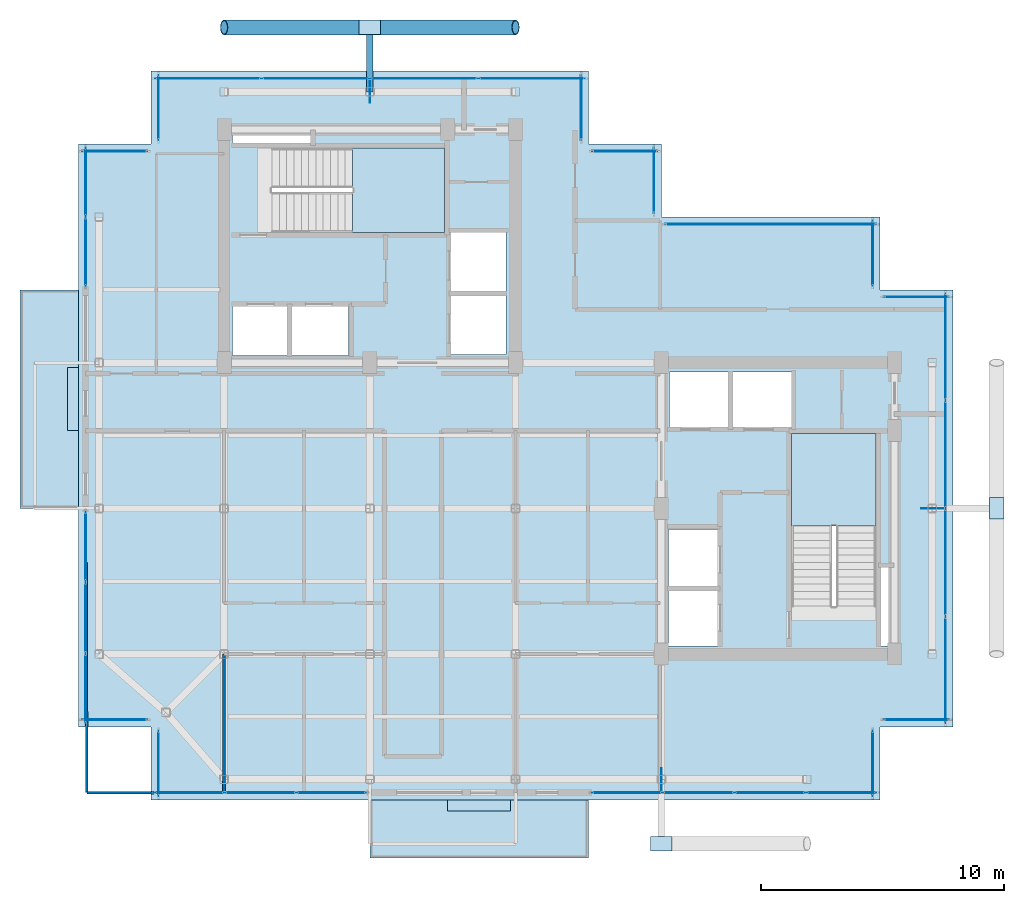
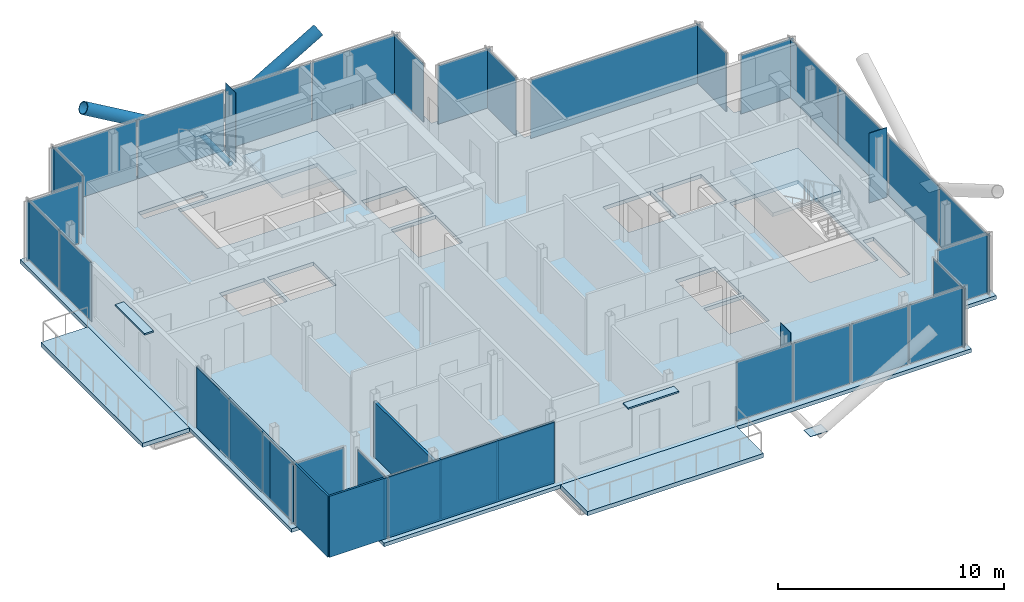
# One storey, part 13 of 18: 40 plates, 5 slabs, 3 members, 3 walls, 20 elements without a shape of their own.
"""IFC4 building model written with IfcOpenShell, lengths in metres."""

from ifc_helpers import new_model, si_unit, direction, frame, frame_2d, origin, origin_2d, place, context, subcontext, project, spatial, polyline, rectangle, hollow_circle, outline, extrude, material, layer, layer_set, material_profile, profile_set, type_object, element, aggregate, save


model = new_model("IFC4")

# Units and contexts
model_context = context("Model", 3, precision=1e-05, world=origin(), true_north=direction((0.0, 1.0)))
body_context = subcontext(model_context, "Body", "Model", "MODEL_VIEW")
ifc_project = project(units=[si_unit("LENGTHUNIT", "METRE"), si_unit("AREAUNIT", "SQUARE_METRE"), si_unit("VOLUMEUNIT", "CUBIC_METRE"), si_unit("PLANEANGLEUNIT", "RADIAN"), si_unit("MASSUNIT", "GRAM", prefix="KILO"), si_unit("THERMODYNAMICTEMPERATUREUNIT", "KELVIN"), si_unit("POWERUNIT", "WATT")], contexts=[model_context])

# Site, building, storey
site_placement = place(None, origin())
site = spatial("IfcSite", under=ifc_project, at=site_placement, CompositionType="ELEMENT")
building_placement = place(site_placement, origin())
building = spatial("IfcBuilding", under=site, at=building_placement, Name="Svarakhadi Broadcast Tower", CompositionType="ELEMENT")
storey_placement = place(building_placement, frame((0.0, 0.0, 253.699951171875)))
storey = spatial("IfcBuildingStorey", under=building, at=storey_placement, Name="L63", CompositionType="ELEMENT", Elevation=253.699951171875)

# Members
ifc_material_1 = material(Name="Steel S460ML (IS 2062 E450BR)", Category="steel")
ifc_material_profile_1 = material_profile(ifc_material_1, hollow_circle(Radius=0.304931640625, WallThickness=0.030029296875, at=origin_2d()), Name="CHS 610x30")
ifc_profile_set_1 = profile_set([ifc_material_profile_1], Name="Steel S460ML (IS 2062 E450BR)")
member_type_1 = type_object("IfcMemberType", Name="Exo_Brace_CHS610", PredefinedType="BRACE", material=ifc_profile_set_1)
for number, where, z_axis, x_axis, name in (
    (1, (12.0, 31.800048828125, -0.33642578125), (-0.863778900898, 0.0, 0.503871025524), (0.0, -1.0, 0.0), "L63 Exposed Bronze Exoskeleton Diagonal N04"),
    (2, (12.0, 31.800048828125, -0.33642578125), (0.863778900898, 0.0, 0.503871025524), (0.0, 1.0, 0.0), "L63 Exposed Bronze Exoskeleton Diagonal N05"),
):
    element("IfcMember", number, at=place(storey_placement, frame(where, z_axis=z_axis, x_axis=x_axis)), inside=storey, type_object=member_type_1, Name=name, PredefinedType="BRACE", context=body_context, shape_type="SweptSolid", body=[
        extrude(hollow_circle(Radius=0.304931640625, WallThickness=0.030029296875, at=origin_2d()), origin(), (0.0, 0.0, 1.0), 6.9462890625),
    ])
ifc_material_profile_2 = material_profile(ifc_material_1, hollow_circle(Radius=0.136474609375, WallThickness=0.012451171875, at=origin_2d()), Name="CHS 273x12.5")
ifc_profile_set_2 = profile_set([ifc_material_profile_2], Name="Steel S460ML (IS 2062 E450BR)")
member_type_2 = type_object("IfcMemberType", Name="Exo_Radial_Strut_Z3", PredefinedType="STRUT", material=ifc_profile_set_2)
member_placement = place(storey_placement, frame((12.0, 31.800048828125, -0.33642578125), z_axis=(0.0, -1.0, 0.0), x_axis=(1.0, 0.0, 0.0)))
element("IfcMember", 3, at=member_placement, inside=storey, type_object=member_type_2, Name="L63 Exoskeleton Radial Tie Strut N03", PredefinedType="STRUT", context=body_context, shape_type="SweptSolid", body=[
    extrude(hollow_circle(Radius=0.136474609375, WallThickness=0.012451171875, at=origin_2d()), origin(), (0.0, 0.0, 1.0), 2.650146484375),
])

# Curtain wall, plate
ifc_material_2 = material(Name="Anodised Bronze Aluminium AA 6063-T6", Category="aluminium")
ifc_layer_1 = layer(ifc_material_2, 0.179931640625)
ifc_layer_set_1 = layer_set([ifc_layer_1], Name="Anodised Bronze Aluminium AA 6063-T6")
curtain_wall_type = type_object("IfcCurtainWallType", Name="CW_Sys_05", PredefinedType="NOTDEFINED", material=ifc_layer_set_1)
curtain_wall_1_placement = place(storey_placement, origin())
curtain_wall_1 = element("IfcCurtainWall", 4, at=curtain_wall_1_placement, inside=storey, type_object=curtain_wall_type, Name="L63 Unitised Facade Curtain Wall 01", PredefinedType="NOTDEFINED")
ifc_material_3 = material(Name="Double Low-E Laminated Acoustic Glass IGU 36 mm", Category="glass")
ifc_layer_2 = layer(ifc_material_3, 0.033935546875)
ifc_layer_set_2 = layer_set([ifc_layer_2], Name="Double Low-E Laminated Acoustic Glass IGU 36 mm")
plate_type_1 = type_object("IfcPlateType", Name="CW_Sys_05_Pnl", PredefinedType="CURTAIN_PANEL", material=ifc_layer_set_2)
plate_1_placement = place(storey_placement, frame((1.5, 3.300048828125, 0.065185546875), z_axis=(0.0, 0.0, 1.0), x_axis=(-1.0, 0.0, 0.0)))
plate_1 = element("IfcPlate", 5, at=plate_1_placement, type_object=plate_type_1, Name="CW-05 panel 1.1", PredefinedType="CURTAIN_PANEL", context=body_context, shape_type="SweptSolid", body=[
    extrude(rectangle(XDim=2.679931640625, YDim=0.033935546875, at=origin_2d()), origin(), (0.0, 0.0, 1.0), 3.169921875),
])
aggregate(curtain_wall_1, [plate_1])

# Curtain wall, plates
curtain_wall_2_placement = place(storey_placement, origin())
curtain_wall_2 = element("IfcCurtainWall", 6, at=curtain_wall_2_placement, inside=storey, type_object=curtain_wall_type, Name="L63 West Curtain Wall 02", PredefinedType="NOTDEFINED")
plate_2_placement = place(storey_placement, frame((0.300048828125, 4.577392578125, 0.065185546875), z_axis=(0.0, 0.0, 1.0), x_axis=(0.0, 1.0, 0.0)))
plate_2 = element("IfcPlate", 7, at=plate_2_placement, type_object=plate_type_1, Name="CW-05 panel 1.1", PredefinedType="CURTAIN_PANEL", context=body_context, shape_type="SweptSolid", body=[
    extrude(rectangle(XDim=2.8349609375, YDim=0.033935546875, at=origin_2d()), origin(), (0.0, 0.0, 1.0), 3.169921875),
])
plate_3_placement = place(storey_placement, frame((0.300048828125, 7.5, 0.065185546875), z_axis=(0.0, 0.0, 1.0), x_axis=(0.0, 1.0, 0.0)))
plate_3 = element("IfcPlate", 8, at=plate_3_placement, type_object=plate_type_1, Name="CW-05 panel 2.1", PredefinedType="CURTAIN_PANEL", context=body_context, shape_type="SweptSolid", body=[
    extrude(rectangle(XDim=2.8701171875, YDim=0.033935546875, at=origin_2d()), origin(), (0.0, 0.0, 1.0), 3.169921875),
])
plate_4_placement = place(storey_placement, frame((0.300048828125, 10.422607421875, 0.065185546875), z_axis=(0.0, 0.0, 1.0), x_axis=(0.0, 1.0, 0.0)))
plate_4 = element("IfcPlate", 9, at=plate_4_placement, type_object=plate_type_1, Name="CW-05 panel 3.1", PredefinedType="CURTAIN_PANEL", context=body_context, shape_type="SweptSolid", body=[
    extrude(rectangle(XDim=2.8349609375, YDim=0.033935546875, at=origin_2d()), origin(), (0.0, 0.0, 1.0), 3.169921875),
])
aggregate(curtain_wall_2, [plate_2, plate_3, plate_4])

curtain_wall_3_placement = place(storey_placement, origin())
curtain_wall_3 = element("IfcCurtainWall", 10, at=curtain_wall_3_placement, inside=storey, type_object=curtain_wall_type, Name="L63 West Curtain Wall 03", PredefinedType="NOTDEFINED")
plate_5_placement = place(storey_placement, frame((0.300048828125, 22.5625, 0.065185546875), z_axis=(0.0, 0.0, 1.0), x_axis=(0.0, 1.0, 0.0)))
plate_5 = element("IfcPlate", 11, at=plate_5_placement, type_object=plate_type_1, Name="CW-05 panel 1.1", PredefinedType="CURTAIN_PANEL", context=body_context, shape_type="SweptSolid", body=[
    extrude(rectangle(XDim=2.804931640625, YDim=0.033935546875, at=origin_2d()), origin(), (0.0, 0.0, 1.0), 3.169921875),
])
plate_6_placement = place(storey_placement, frame((0.300048828125, 25.4375, 0.065185546875), z_axis=(0.0, 0.0, 1.0), x_axis=(0.0, 1.0, 0.0)))
plate_6 = element("IfcPlate", 12, at=plate_6_placement, type_object=plate_type_1, Name="CW-05 panel 2.1", PredefinedType="CURTAIN_PANEL", context=body_context, shape_type="SweptSolid", body=[
    extrude(rectangle(XDim=2.804931640625, YDim=0.033935546875, at=origin_2d()), origin(), (0.0, 0.0, 1.0), 3.169921875),
])
aggregate(curtain_wall_3, [plate_5, plate_6])

# Curtain wall, plate
curtain_wall_4_placement = place(storey_placement, origin())
curtain_wall_4 = element("IfcCurtainWall", 13, at=curtain_wall_4_placement, inside=storey, type_object=curtain_wall_type, Name="L63 Unitised Facade Curtain Wall 04", PredefinedType="NOTDEFINED")
plate_7_placement = place(storey_placement, frame((1.5, 26.699951171875, 0.065185546875), z_axis=(0.0, 0.0, 1.0), x_axis=(1.0, 0.0, 0.0)))
plate_7 = element("IfcPlate", 14, at=plate_7_placement, type_object=plate_type_1, Name="CW-05 panel 1.1", PredefinedType="CURTAIN_PANEL", context=body_context, shape_type="SweptSolid", body=[
    extrude(rectangle(XDim=2.679931640625, YDim=0.033935546875, at=origin_2d()), origin(), (0.0, 0.0, 1.0), 3.169921875),
])
aggregate(curtain_wall_4, [plate_7])

curtain_wall_5_placement = place(storey_placement, origin())
curtain_wall_5 = element("IfcCurtainWall", 15, at=curtain_wall_5_placement, inside=storey, type_object=curtain_wall_type, Name="L63 Unitised Facade Curtain Wall 05", PredefinedType="NOTDEFINED")
plate_8_placement = place(storey_placement, frame((3.300048828125, 28.5, 0.065185546875), z_axis=(0.0, 0.0, 1.0), x_axis=(0.0, 1.0, 0.0)))
plate_8 = element("IfcPlate", 16, at=plate_8_placement, type_object=plate_type_1, Name="CW-05 panel 1.1", PredefinedType="CURTAIN_PANEL", context=body_context, shape_type="SweptSolid", body=[
    extrude(rectangle(XDim=2.679931640625, YDim=0.033935546875, at=origin_2d()), origin(), (0.0, 0.0, 1.0), 3.169921875),
])
aggregate(curtain_wall_5, [plate_8])

# Curtain wall, plates
curtain_wall_6_placement = place(storey_placement, origin())
curtain_wall_6 = element("IfcCurtainWall", 17, at=curtain_wall_6_placement, inside=storey, type_object=curtain_wall_type, Name="L63 Unitised Facade Curtain Wall 06", PredefinedType="NOTDEFINED")
plate_9_placement = place(storey_placement, frame((5.3349609375, 29.699951171875, 0.065185546875), z_axis=(0.0, 0.0, 1.0), x_axis=(1.0, 0.0, 0.0)))
plate_9 = element("IfcPlate", 18, at=plate_9_placement, type_object=plate_type_1, Name="CW-05 panel 1.1", PredefinedType="CURTAIN_PANEL", context=body_context, shape_type="SweptSolid", body=[
    extrude(rectangle(XDim=4.35009765625, YDim=0.033935546875, at=origin_2d()), origin(), (0.0, 0.0, 1.0), 3.169921875),
])
plate_10_placement = place(storey_placement, frame((9.7724609375, 29.699951171875, 0.065185546875), z_axis=(0.0, 0.0, 1.0), x_axis=(1.0, 0.0, 0.0)))
plate_10 = element("IfcPlate", 19, at=plate_10_placement, type_object=plate_type_1, Name="CW-05 panel 2.1", PredefinedType="CURTAIN_PANEL", context=body_context, shape_type="SweptSolid", body=[
    extrude(rectangle(XDim=4.385009765625, YDim=0.033935546875, at=origin_2d()), origin(), (0.0, 0.0, 1.0), 3.169921875),
])
plate_11_placement = place(storey_placement, frame((14.2275390625, 29.699951171875, 0.065185546875), z_axis=(0.0, 0.0, 1.0), x_axis=(1.0, 0.0, 0.0)))
plate_11 = element("IfcPlate", 20, at=plate_11_placement, type_object=plate_type_1, Name="CW-05 panel 3.1", PredefinedType="CURTAIN_PANEL", context=body_context, shape_type="SweptSolid", body=[
    extrude(rectangle(XDim=4.385009765625, YDim=0.033935546875, at=origin_2d()), origin(), (0.0, 0.0, 1.0), 3.169921875),
])
plate_12_placement = place(storey_placement, frame((18.6650390625, 29.699951171875, 0.065185546875), z_axis=(0.0, 0.0, 1.0), x_axis=(1.0, 0.0, 0.0)))
plate_12 = element("IfcPlate", 21, at=plate_12_placement, type_object=plate_type_1, Name="CW-05 panel 4.1", PredefinedType="CURTAIN_PANEL", context=body_context, shape_type="SweptSolid", body=[
    extrude(rectangle(XDim=4.35009765625, YDim=0.033935546875, at=origin_2d()), origin(), (0.0, 0.0, 1.0), 3.169921875),
])
aggregate(curtain_wall_6, [plate_9, plate_10, plate_11, plate_12])

# Curtain wall, plate
curtain_wall_7_placement = place(storey_placement, origin())
curtain_wall_7 = element("IfcCurtainWall", 22, at=curtain_wall_7_placement, inside=storey, type_object=curtain_wall_type, Name="L63 Unitised Facade Curtain Wall 07", PredefinedType="NOTDEFINED")
plate_13_placement = place(storey_placement, frame((20.699951171875, 28.5, 0.065185546875), z_axis=(0.0, 0.0, 1.0), x_axis=(0.0, -1.0, 0.0)))
plate_13 = element("IfcPlate", 23, at=plate_13_placement, type_object=plate_type_1, Name="CW-05 panel 1.1", PredefinedType="CURTAIN_PANEL", context=body_context, shape_type="SweptSolid", body=[
    extrude(rectangle(XDim=2.679931640625, YDim=0.033935546875, at=origin_2d()), origin(), (0.0, 0.0, 1.0), 3.169921875),
])
aggregate(curtain_wall_7, [plate_13])

curtain_wall_8_placement = place(storey_placement, origin())
curtain_wall_8 = element("IfcCurtainWall", 24, at=curtain_wall_8_placement, inside=storey, type_object=curtain_wall_type, Name="L63 Unitised Facade Curtain Wall 08", PredefinedType="NOTDEFINED")
plate_14_placement = place(storey_placement, frame((22.5, 26.699951171875, 0.065185546875), z_axis=(0.0, 0.0, 1.0), x_axis=(1.0, 0.0, 0.0)))
plate_14 = element("IfcPlate", 25, at=plate_14_placement, type_object=plate_type_1, Name="CW-05 panel 1.1", PredefinedType="CURTAIN_PANEL", context=body_context, shape_type="SweptSolid", body=[
    extrude(rectangle(XDim=2.679931640625, YDim=0.033935546875, at=origin_2d()), origin(), (0.0, 0.0, 1.0), 3.169921875),
])
aggregate(curtain_wall_8, [plate_14])

curtain_wall_9_placement = place(storey_placement, origin())
curtain_wall_9 = element("IfcCurtainWall", 26, at=curtain_wall_9_placement, inside=storey, type_object=curtain_wall_type, Name="L63 Unitised Facade Curtain Wall 09", PredefinedType="NOTDEFINED")
plate_15_placement = place(storey_placement, frame((23.699951171875, 25.5, 0.065185546875), z_axis=(0.0, 0.0, 1.0), x_axis=(0.0, -1.0, 0.0)))
plate_15 = element("IfcPlate", 27, at=plate_15_placement, type_object=plate_type_1, Name="CW-05 panel 1.1", PredefinedType="CURTAIN_PANEL", context=body_context, shape_type="SweptSolid", body=[
    extrude(rectangle(XDim=2.679931640625, YDim=0.033935546875, at=origin_2d()), origin(), (0.0, 0.0, 1.0), 3.169921875),
])
aggregate(curtain_wall_9, [plate_15])

curtain_wall_10_placement = place(storey_placement, origin())
curtain_wall_10 = element("IfcCurtainWall", 28, at=curtain_wall_10_placement, inside=storey, type_object=curtain_wall_type, Name="L63 Unitised Facade Curtain Wall 10", PredefinedType="NOTDEFINED")
plate_16_placement = place(storey_placement, frame((28.5, 23.699951171875, 0.065185546875), z_axis=(0.0, 0.0, 1.0), x_axis=(1.0, 0.0, 0.0)))
plate_16 = element("IfcPlate", 29, at=plate_16_placement, type_object=plate_type_1, Name="CW-05 panel 1.1", PredefinedType="CURTAIN_PANEL", context=body_context, shape_type="SweptSolid", body=[
    extrude(rectangle(XDim=8.679931640625, YDim=0.033935546875, at=origin_2d()), origin(), (0.0, 0.0, 1.0), 3.169921875),
])
aggregate(curtain_wall_10, [plate_16])

curtain_wall_11_placement = place(storey_placement, origin())
curtain_wall_11 = element("IfcCurtainWall", 30, at=curtain_wall_11_placement, inside=storey, type_object=curtain_wall_type, Name="L63 Unitised Facade Curtain Wall 11", PredefinedType="NOTDEFINED")
plate_17_placement = place(storey_placement, frame((32.699951171875, 22.5, 0.065185546875), z_axis=(0.0, 0.0, 1.0), x_axis=(0.0, -1.0, 0.0)))
plate_17 = element("IfcPlate", 31, at=plate_17_placement, type_object=plate_type_1, Name="CW-05 panel 1.1", PredefinedType="CURTAIN_PANEL", context=body_context, shape_type="SweptSolid", body=[
    extrude(rectangle(XDim=2.679931640625, YDim=0.033935546875, at=origin_2d()), origin(), (0.0, 0.0, 1.0), 3.169921875),
])
aggregate(curtain_wall_11, [plate_17])

curtain_wall_12_placement = place(storey_placement, origin())
curtain_wall_12 = element("IfcCurtainWall", 32, at=curtain_wall_12_placement, inside=storey, type_object=curtain_wall_type, Name="L63 Unitised Facade Curtain Wall 12", PredefinedType="NOTDEFINED")
plate_18_placement = place(storey_placement, frame((34.5, 20.699951171875, 0.065185546875), z_axis=(0.0, 0.0, 1.0), x_axis=(1.0, 0.0, 0.0)))
plate_18 = element("IfcPlate", 33, at=plate_18_placement, type_object=plate_type_1, Name="CW-05 panel 1.1", PredefinedType="CURTAIN_PANEL", context=body_context, shape_type="SweptSolid", body=[
    extrude(rectangle(XDim=2.679931640625, YDim=0.033935546875, at=origin_2d()), origin(), (0.0, 0.0, 1.0), 3.169921875),
])
aggregate(curtain_wall_12, [plate_18])

# Curtain wall, plates
curtain_wall_13_placement = place(storey_placement, origin())
curtain_wall_13 = element("IfcCurtainWall", 34, at=curtain_wall_13_placement, inside=storey, type_object=curtain_wall_type, Name="L63 Unitised Facade Curtain Wall 13", PredefinedType="NOTDEFINED")
plate_19_placement = place(storey_placement, frame((35.699951171875, 18.6650390625, 0.065185546875), z_axis=(0.0, 0.0, 1.0), x_axis=(0.0, -1.0, 0.0)))
plate_19 = element("IfcPlate", 35, at=plate_19_placement, type_object=plate_type_1, Name="CW-05 panel 1.1", PredefinedType="CURTAIN_PANEL", context=body_context, shape_type="SweptSolid", body=[
    extrude(rectangle(XDim=4.35009765625, YDim=0.033935546875, at=origin_2d()), origin(), (0.0, 0.0, 1.0), 3.169921875),
])
plate_20_placement = place(storey_placement, frame((35.699951171875, 14.2275390625, 0.065185546875), z_axis=(0.0, 0.0, 1.0), x_axis=(0.0, -1.0, 0.0)))
plate_20 = element("IfcPlate", 36, at=plate_20_placement, type_object=plate_type_1, Name="CW-05 panel 2.1", PredefinedType="CURTAIN_PANEL", context=body_context, shape_type="SweptSolid", body=[
    extrude(rectangle(XDim=4.385009765625, YDim=0.033935546875, at=origin_2d()), origin(), (0.0, 0.0, 1.0), 3.169921875),
])
plate_21_placement = place(storey_placement, frame((35.699951171875, 9.7724609375, 0.065185546875), z_axis=(0.0, 0.0, 1.0), x_axis=(0.0, -1.0, 0.0)))
plate_21 = element("IfcPlate", 37, at=plate_21_placement, type_object=plate_type_1, Name="CW-05 panel 3.1", PredefinedType="CURTAIN_PANEL", context=body_context, shape_type="SweptSolid", body=[
    extrude(rectangle(XDim=4.385009765625, YDim=0.033935546875, at=origin_2d()), origin(), (0.0, 0.0, 1.0), 3.169921875),
])
plate_22_placement = place(storey_placement, frame((35.699951171875, 5.3349609375, 0.065185546875), z_axis=(0.0, 0.0, 1.0), x_axis=(0.0, -1.0, 0.0)))
plate_22 = element("IfcPlate", 38, at=plate_22_placement, type_object=plate_type_1, Name="CW-05 panel 4.1", PredefinedType="CURTAIN_PANEL", context=body_context, shape_type="SweptSolid", body=[
    extrude(rectangle(XDim=4.35009765625, YDim=0.033935546875, at=origin_2d()), origin(), (0.0, 0.0, 1.0), 3.169921875),
])
aggregate(curtain_wall_13, [plate_19, plate_20, plate_21, plate_22])

# Curtain wall, plate
curtain_wall_14_placement = place(storey_placement, origin())
curtain_wall_14 = element("IfcCurtainWall", 39, at=curtain_wall_14_placement, inside=storey, type_object=curtain_wall_type, Name="L63 Unitised Facade Curtain Wall 14", PredefinedType="NOTDEFINED")
plate_23_placement = place(storey_placement, frame((34.5, 3.300048828125, 0.065185546875), z_axis=(0.0, 0.0, 1.0), x_axis=(-1.0, 0.0, 0.0)))
plate_23 = element("IfcPlate", 40, at=plate_23_placement, type_object=plate_type_1, Name="CW-05 panel 1.1", PredefinedType="CURTAIN_PANEL", context=body_context, shape_type="SweptSolid", body=[
    extrude(rectangle(XDim=2.679931640625, YDim=0.033935546875, at=origin_2d()), origin(), (0.0, 0.0, 1.0), 3.169921875),
])
aggregate(curtain_wall_14, [plate_23])

curtain_wall_15_placement = place(storey_placement, origin())
curtain_wall_15 = element("IfcCurtainWall", 41, at=curtain_wall_15_placement, inside=storey, type_object=curtain_wall_type, Name="L63 Unitised Facade Curtain Wall 15", PredefinedType="NOTDEFINED")
plate_24_placement = place(storey_placement, frame((32.699951171875, 1.5, 0.065185546875), z_axis=(0.0, 0.0, 1.0), x_axis=(0.0, -1.0, 0.0)))
plate_24 = element("IfcPlate", 42, at=plate_24_placement, type_object=plate_type_1, Name="CW-05 panel 1.1", PredefinedType="CURTAIN_PANEL", context=body_context, shape_type="SweptSolid", body=[
    extrude(rectangle(XDim=2.679931640625, YDim=0.033935546875, at=origin_2d()), origin(), (0.0, 0.0, 1.0), 3.169921875),
])
aggregate(curtain_wall_15, [plate_24])

# Curtain wall, plates
curtain_wall_16_placement = place(storey_placement, origin())
curtain_wall_16 = element("IfcCurtainWall", 43, at=curtain_wall_16_placement, inside=storey, type_object=curtain_wall_type, Name="L63 South Curtain Wall 16", PredefinedType="NOTDEFINED")
plate_25_placement = place(storey_placement, frame((31.4150390625, 0.300048828125, 0.065185546875), z_axis=(0.0, 0.0, 1.0), x_axis=(-1.0, 0.0, 0.0)))
plate_25 = element("IfcPlate", 44, at=plate_25_placement, type_object=plate_type_1, Name="CW-05 panel 1.1", PredefinedType="CURTAIN_PANEL", context=body_context, shape_type="SweptSolid", body=[
    extrude(rectangle(XDim=2.85009765625, YDim=0.033935546875, at=origin_2d()), origin(), (0.0, 0.0, 1.0), 3.169921875),
])
plate_26_placement = place(storey_placement, frame((28.4775390625, 0.300048828125, 0.065185546875), z_axis=(0.0, 0.0, 1.0), x_axis=(-1.0, 0.0, 0.0)))
plate_26 = element("IfcPlate", 45, at=plate_26_placement, type_object=plate_type_1, Name="CW-05 panel 2.1", PredefinedType="CURTAIN_PANEL", context=body_context, shape_type="SweptSolid", body=[
    extrude(rectangle(XDim=2.885009765625, YDim=0.033935546875, at=origin_2d()), origin(), (0.0, 0.0, 1.0), 3.169921875),
])
plate_27_placement = place(storey_placement, frame((25.5224609375, 0.300048828125, 0.065185546875), z_axis=(0.0, 0.0, 1.0), x_axis=(-1.0, 0.0, 0.0)))
plate_27 = element("IfcPlate", 46, at=plate_27_placement, type_object=plate_type_1, Name="CW-05 panel 3.1", PredefinedType="CURTAIN_PANEL", context=body_context, shape_type="SweptSolid", body=[
    extrude(rectangle(XDim=2.885009765625, YDim=0.033935546875, at=origin_2d()), origin(), (0.0, 0.0, 1.0), 3.169921875),
])
plate_28_placement = place(storey_placement, frame((22.5849609375, 0.300048828125, 0.065185546875), z_axis=(0.0, 0.0, 1.0), x_axis=(-1.0, 0.0, 0.0)))
plate_28 = element("IfcPlate", 47, at=plate_28_placement, type_object=plate_type_1, Name="CW-05 panel 4.1", PredefinedType="CURTAIN_PANEL", context=body_context, shape_type="SweptSolid", body=[
    extrude(rectangle(XDim=2.85009765625, YDim=0.033935546875, at=origin_2d()), origin(), (0.0, 0.0, 1.0), 3.169921875),
])
aggregate(curtain_wall_16, [plate_25, plate_26, plate_27, plate_28])

curtain_wall_17_placement = place(storey_placement, origin())
curtain_wall_17 = element("IfcCurtainWall", 48, at=curtain_wall_17_placement, inside=storey, type_object=curtain_wall_type, Name="L63 South Curtain Wall 17", PredefinedType="NOTDEFINED")
plate_29_placement = place(storey_placement, frame((10.422607421875, 0.300048828125, 0.065185546875), z_axis=(0.0, 0.0, 1.0), x_axis=(-1.0, 0.0, 0.0)))
plate_29 = element("IfcPlate", 49, at=plate_29_placement, type_object=plate_type_1, Name="CW-05 panel 1.1", PredefinedType="CURTAIN_PANEL", context=body_context, shape_type="SweptSolid", body=[
    extrude(rectangle(XDim=2.8349609375, YDim=0.033935546875, at=origin_2d()), origin(), (0.0, 0.0, 1.0), 3.169921875),
])
plate_30_placement = place(storey_placement, frame((7.5, 0.300048828125, 0.065185546875), z_axis=(0.0, 0.0, 1.0), x_axis=(-1.0, 0.0, 0.0)))
plate_30 = element("IfcPlate", 50, at=plate_30_placement, type_object=plate_type_1, Name="CW-05 panel 2.1", PredefinedType="CURTAIN_PANEL", context=body_context, shape_type="SweptSolid", body=[
    extrude(rectangle(XDim=2.8701171875, YDim=0.033935546875, at=origin_2d()), origin(), (0.0, 0.0, 1.0), 3.169921875),
])
plate_31_placement = place(storey_placement, frame((4.577392578125, 0.300048828125, 0.065185546875), z_axis=(0.0, 0.0, 1.0), x_axis=(-1.0, 0.0, 0.0)))
plate_31 = element("IfcPlate", 51, at=plate_31_placement, type_object=plate_type_1, Name="CW-05 panel 3.1", PredefinedType="CURTAIN_PANEL", context=body_context, shape_type="SweptSolid", body=[
    extrude(rectangle(XDim=2.8349609375, YDim=0.033935546875, at=origin_2d()), origin(), (0.0, 0.0, 1.0), 3.169921875),
])
aggregate(curtain_wall_17, [plate_29, plate_30, plate_31])

# Curtain wall, plate
curtain_wall_18_placement = place(storey_placement, origin())
curtain_wall_18 = element("IfcCurtainWall", 52, at=curtain_wall_18_placement, inside=storey, type_object=curtain_wall_type, Name="L63 Unitised Facade Curtain Wall 18", PredefinedType="NOTDEFINED")
plate_32_placement = place(storey_placement, frame((3.300048828125, 1.5, 0.065185546875), z_axis=(0.0, 0.0, 1.0), x_axis=(0.0, 1.0, 0.0)))
plate_32 = element("IfcPlate", 53, at=plate_32_placement, type_object=plate_type_1, Name="CW-05 panel 1.1", PredefinedType="CURTAIN_PANEL", context=body_context, shape_type="SweptSolid", body=[
    extrude(rectangle(XDim=2.679931640625, YDim=0.033935546875, at=origin_2d()), origin(), (0.0, 0.0, 1.0), 3.169921875),
])
aggregate(curtain_wall_18, [plate_32])

# Plates
ifc_layer_3 = layer(ifc_material_1, 0.02490234375)
ifc_layer_set_3 = layer_set([ifc_layer_3], Name="Steel S460ML (IS 2062 E450BR)")
plate_type_2 = type_object("IfcPlateType", Name="Node_Gusset_N05", PredefinedType="SHEET", material=ifc_layer_set_3)
for number, where, z_axis, x_axis, name in (
    (54, (24.0, -1.800048828125, -0.199951171875), (0.0, 0.0, 1.0), (1.0, 0.0, 0.0), "L63 Exoskeleton Gusset Node Plate S01"),
    (55, (37.800048828125, 12.0, -0.199951171875), (0.0, 0.0, 1.0), (0.0, 1.0, 0.0), "L63 Exoskeleton Gusset Node Plate E02"),
    (56, (12.0, 31.800048828125, -0.199951171875), (0.0, 0.0, 1.0), (1.0, 0.0, 0.0), "L63 Exoskeleton Gusset Node Plate N03"),
):
    element("IfcPlate", number, at=place(storey_placement, frame(where, z_axis=z_axis, x_axis=x_axis)), inside=storey, type_object=plate_type_2, Name=name, PredefinedType="SHEET", context=body_context, shape_type="SweptSolid", body=[
        extrude(rectangle(XDim=0.8798828125, YDim=0.60009765625, at=origin_2d()), origin(), (0.0, 0.0, 1.0), 0.02490234375),
    ])
ifc_layer_4 = layer(ifc_material_1, 0.02587890625)
ifc_layer_set_4 = layer_set([ifc_layer_4], Name="Steel S460ML (IS 2062 E450BR)")
plate_type_3 = type_object("IfcPlateType", Name="Node_Gusset_N07", PredefinedType="SHEET", material=ifc_layer_set_4)
for number, where, z_axis, x_axis, name in (
    (57, (24.0, 0.85009765625, -0.53662109375), (0.0, 0.0, 1.0), (0.0, 1.0, 0.0), "L63 Brace End Connection Gusset Plate N-07-E0509"),
    (58, (35.14990234375, 12.0, -0.53662109375), (0.0, 0.0, 1.0), (1.0, 0.0, 0.0), "L63 Brace End Connection Gusset Plate N-07-E0510"),
    (59, (12.0, 29.14990234375, -0.53662109375), (0.0, 0.0, 1.0), (0.0, 1.0, 0.0), "L63 Brace End Connection Gusset Plate N-07-E0511"),
):
    element("IfcPlate", number, at=place(storey_placement, frame(where, z_axis=z_axis, x_axis=x_axis)), inside=storey, type_object=plate_type_3, Name=name, PredefinedType="SHEET", context=body_context, shape_type="SweptSolid", body=[
        extrude(rectangle(XDim=0.919921875, YDim=0.02587890625, at=origin_2d()), origin(), (0.0, 0.0, 1.0), 4.300048828125),
    ])

# Slab
ifc_material_4 = material(Name="Concrete C40/50 (IS 456 M50)", Category="concrete")
ifc_layer_5 = layer(ifc_material_4, 0.199951171875)
ifc_layer_set_5 = layer_set([ifc_layer_5], Name="Concrete C40/50 (IS 456 M50)")
slab_type_1 = type_object("IfcSlabType", Name="Slab_Floor_200", PredefinedType="FLOOR", material=ifc_layer_set_5)
slab_1_placement = place(storey_placement, frame((0.0, 0.0, -0.199951171875)))
element("IfcSlab", 60, at=slab_1_placement, inside=storey, type_object=slab_type_1, Name="L63 Structural Floor Slab", PredefinedType="FLOOR", context=body_context, shape_type="SweptSolid", body=[
    extrude(outline(polyline([(3.0, 0.0), (33.0, 0.0), (33.0, 3.0), (36.0, 3.0), (36.0, 21.0), (33.0, 21.0), (33.0, 24.0), (24.0, 24.0), (24.0, 27.0), (21.0, 27.0), (21.0, 30.0), (3.0, 30.0), (3.0, 27.0), (0.0, 27.0), (0.0, 3.0), (3.0, 3.0), (3.0, 0.0)]), holes=[polyline([(7.97998046875, 23.360107421875), (15.080078125, 23.360107421875), (15.080078125, 26.840087890625), (7.97998046875, 26.840087890625), (7.97998046875, 23.360107421875)]), polyline([(32.840087890625, 7.97998046875), (32.840087890625, 15.080078125), (29.360107421875, 15.080078125), (29.360107421875, 7.97998046875), (32.840087890625, 7.97998046875)]), polyline([(6.340087890625, 18.2900390625), (8.610107421875, 18.2900390625), (8.610107421875, 20.330078125), (6.340087890625, 20.330078125), (6.340087890625, 18.2900390625)]), polyline([(8.7900390625, 18.2900390625), (11.1298828125, 18.2900390625), (11.1298828125, 20.330078125), (8.7900390625, 20.330078125), (8.7900390625, 18.2900390625)]), polyline([(24.2900390625, 6.340087890625), (26.330078125, 6.340087890625), (26.330078125, 8.610107421875), (24.2900390625, 8.610107421875), (24.2900390625, 6.340087890625)]), polyline([(24.2900390625, 8.7900390625), (26.330078125, 8.7900390625), (26.330078125, 11.1298828125), (24.2900390625, 11.1298828125), (24.2900390625, 8.7900390625)]), polyline([(6.340087890625, 26.989990234375), (9.610107421875, 26.989990234375), (9.610107421875, 27.530029296875), (6.340087890625, 27.530029296875), (6.340087890625, 26.989990234375)]), polyline([(32.989990234375, 6.340087890625), (33.530029296875, 6.340087890625), (33.530029296875, 9.610107421875), (32.989990234375, 9.610107421875), (32.989990234375, 6.340087890625)]), polyline([(15.340087890625, 18.340087890625), (17.610107421875, 18.340087890625), (17.610107421875, 20.760009765625), (15.340087890625, 20.760009765625), (15.340087890625, 18.340087890625)]), polyline([(15.340087890625, 20.93994140625), (17.610107421875, 20.93994140625), (17.610107421875, 23.360107421875), (15.340087890625, 23.360107421875), (15.340087890625, 20.93994140625)]), polyline([(24.340087890625, 15.340087890625), (26.760009765625, 15.340087890625), (26.760009765625, 17.610107421875), (24.340087890625, 17.610107421875), (24.340087890625, 15.340087890625)]), polyline([(26.93994140625, 15.340087890625), (29.360107421875, 15.340087890625), (29.360107421875, 17.610107421875), (26.93994140625, 17.610107421875), (26.93994140625, 15.340087890625)])]), origin(), (0.0, 0.0, 1.0), 0.199951171875),
])

# Stair, slab
stair_type = type_object("IfcStairType", Name="Stair_Exit_Core", PredefinedType="HALF_TURN_STAIR", material=ifc_material_4)
stair_1_placement = place(storey_placement, origin())
stair_1 = element("IfcStair", 61, at=stair_1_placement, inside=storey, type_object=stair_type, Name="L63 West Core Protected Exit Stair ST-01", PredefinedType="HALF_TURN_STAIR")
ifc_layer_6 = layer(ifc_material_4, 0.199951171875)
ifc_layer_set_6 = layer_set([ifc_layer_6], Name="Concrete C40/50 (IS 456 M50)")
slab_type_2 = type_object("IfcSlabType", Name="Slab_Stair_Land", PredefinedType="LANDING", material=ifc_layer_set_6)
slab_2_placement = place(storey_placement, frame((0.0, 0.0, 1.550048828125)))
slab_2 = element("IfcSlab", 62, at=slab_2_placement, type_object=slab_type_2, Name="ST-01 landing 1", PredefinedType="LANDING", context=body_context, shape_type="SweptSolid", body=[
    extrude(outline(polyline([(11.280029296875, 23.360107421875), (15.080078125, 23.360107421875), (15.080078125, 26.840087890625), (11.280029296875, 26.840087890625), (11.280029296875, 23.360107421875)])), origin(), (0.0, 0.0, 1.0), 0.199951171875),
])
aggregate(stair_1, [slab_2])

stair_2_placement = place(storey_placement, origin())
stair_2 = element("IfcStair", 63, at=stair_2_placement, inside=storey, type_object=stair_type, Name="L63 East Core Protected Exit Stair ST-02", PredefinedType="HALF_TURN_STAIR")
slab_3_placement = place(storey_placement, frame((0.0, 0.0, 1.550048828125)))
slab_3 = element("IfcSlab", 64, at=slab_3_placement, type_object=slab_type_2, Name="ST-02 landing 1", PredefinedType="LANDING", context=body_context, shape_type="SweptSolid", body=[
    extrude(outline(polyline([(32.840087890625, 11.280029296875), (32.840087890625, 15.080078125), (29.360107421875, 15.080078125), (29.360107421875, 11.280029296875), (32.840087890625, 11.280029296875)])), origin(), (0.0, 0.0, 1.0), 0.199951171875),
])
aggregate(stair_2, [slab_3])

# Slabs
ifc_layer_7 = layer(ifc_material_4, 0.22509765625)
ifc_layer_set_7 = layer_set([ifc_layer_7], Name="Concrete C40/50 (IS 456 M50)")
slab_type_3 = type_object("IfcSlabType", Name="Slab_TreeBalcony", PredefinedType="FLOOR", material=ifc_layer_set_7)
slab_4_placement = place(storey_placement, frame((0.0, 0.0, -0.224853515625)))
element("IfcSlab", 65, at=slab_4_placement, inside=storey, type_object=slab_type_3, Name="L63 Planted Tree Balcony Slab BAL-S", PredefinedType="FLOOR", context=body_context, shape_type="SweptSolid", body=[
    extrude(outline(polyline([(12.0, -2.39990234375), (21.0, -2.39990234375), (21.0, 0.0), (12.0, 0.0), (12.0, -2.39990234375)])), origin(), (0.0, 0.0, 1.0), 0.224853515625),
])
slab_5_placement = place(storey_placement, frame((0.0, 0.0, -0.224853515625)))
element("IfcSlab", 66, at=slab_5_placement, inside=storey, type_object=slab_type_3, Name="L63 Planted Tree Balcony Slab BAL-W", PredefinedType="FLOOR", context=body_context, shape_type="SweptSolid", body=[
    extrude(outline(polyline([(-2.39990234375, 12.0), (0.0, 12.0), (0.0, 21.0), (-2.39990234375, 21.0), (-2.39990234375, 12.0)])), origin(), (0.0, 0.0, 1.0), 0.224853515625),
])

# Plates
ifc_layer_8 = layer(ifc_material_2, 0.080078125)
ifc_layer_set_8 = layer_set([ifc_layer_8], Name="Anodised Bronze Aluminium AA 6063-T6")
plate_type_4 = type_object("IfcPlateType", Name="Sunshade_Fin_SS01", PredefinedType="USERDEFINED", material=ifc_layer_set_8)
for number, where, z_axis, x_axis, name in (
    (67, (16.5, -0.22509765625, 3.219970703125), (0.0, 0.0, 1.0), (1.0, 0.0, 0.0), "L63 South Bronze Brise-Soleil Sunshade SS-01"),
    (68, (-0.22509765625, 16.5, 3.219970703125), (0.0, 0.0, 1.0), (0.0, 1.0, 0.0), "L63 West Bronze Brise-Soleil Sunshade SS-01"),
):
    element("IfcPlate", number, at=place(storey_placement, frame(where, z_axis=z_axis, x_axis=x_axis)), inside=storey, type_object=plate_type_4, Name=name, ObjectType="SUNSHADE", PredefinedType="USERDEFINED", context=body_context, shape_type="SweptSolid", body=[
        extrude(rectangle(XDim=2.60009765625, YDim=0.449951171875, at=origin_2d()), origin(), (0.0, 0.0, 1.0), 0.080078125),
    ])

# Walls
ifc_material_5 = material(Name="Fire-Rated Moisture-Resistant Gypsum Board Partition", Category="gypsum")
ifc_layer_9 = layer(ifc_material_5, 0.10009765625)
ifc_layer_set_9 = layer_set([ifc_layer_9], Name="Fire-Rated Moisture-Resistant Gypsum Board Partition")
wall_type_1 = type_object("IfcWallType", Name="Wall_Part_100", PredefinedType="PARTITIONING", material=ifc_layer_set_9)
wall_1_placement = place(storey_placement, frame((0.35009765625, 0.300048828125, 0.0), z_axis=(0.0, 0.0, 1.0), x_axis=(1.0, 0.0, 0.0)))
element("IfcWall", 69, at=wall_1_placement, inside=storey, type_object=wall_type_1, Name="L63 Apartment A Wall", PredefinedType="PARTITIONING", context=body_context, shape_type="SweptSolid", body=[
    extrude(rectangle(XDim=11.5048828125, YDim=0.10009765625, at=frame_2d((5.75244140625, 0.0))), origin(), (0.0, 0.0, 1.0), 3.300048828125),
])
wall_2_placement = place(storey_placement, frame((0.35009765625, 0.300048828125, 0.0), z_axis=(0.0, 0.0, 1.0), x_axis=(-0.003359443529, 0.999994357054, 0.0)))
element("IfcWall", 70, at=wall_2_placement, inside=storey, type_object=wall_type_1, Name="L63 Apartment A Wall", PredefinedType="PARTITIONING", context=body_context, shape_type="SweptSolid", body=[
    extrude(rectangle(XDim=11.554931640625, YDim=0.10009765625, at=frame_2d((5.77734375, 0.0))), origin(), (0.0, 0.0, 1.0), 3.300048828125),
])
ifc_layer_10 = layer(ifc_material_5, 0.125)
ifc_layer_set_10 = layer_set([ifc_layer_10], Name="Fire-Rated Moisture-Resistant Gypsum Board Partition")
wall_type_2 = type_object("IfcWallType", Name="Wall_Part_125", PredefinedType="PARTITIONING", material=ifc_layer_set_10)
wall_3_placement = place(storey_placement, frame((6.0, 0.300048828125, 0.0), z_axis=(0.0, 0.0, 1.0), x_axis=(0.0, 1.0, 0.0)))
element("IfcWall", 71, at=wall_3_placement, inside=storey, type_object=wall_type_2, Name="L63 Apartment A Bedroom 1 Wall", PredefinedType="PARTITIONING", context=body_context, shape_type="SweptSolid", body=[
    extrude(rectangle(XDim=5.699951171875, YDim=0.125, at=frame_2d((2.85009765625, 0.0))), origin(), (0.0, 0.0, 1.0), 2.991943359375),
])

save(model, "model.ifc")
